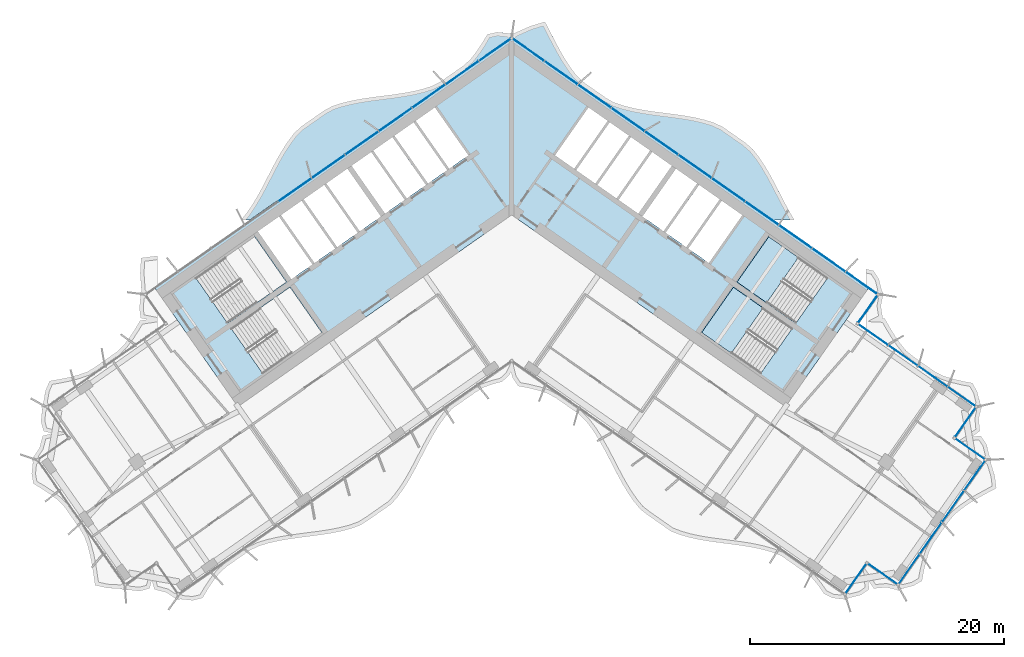
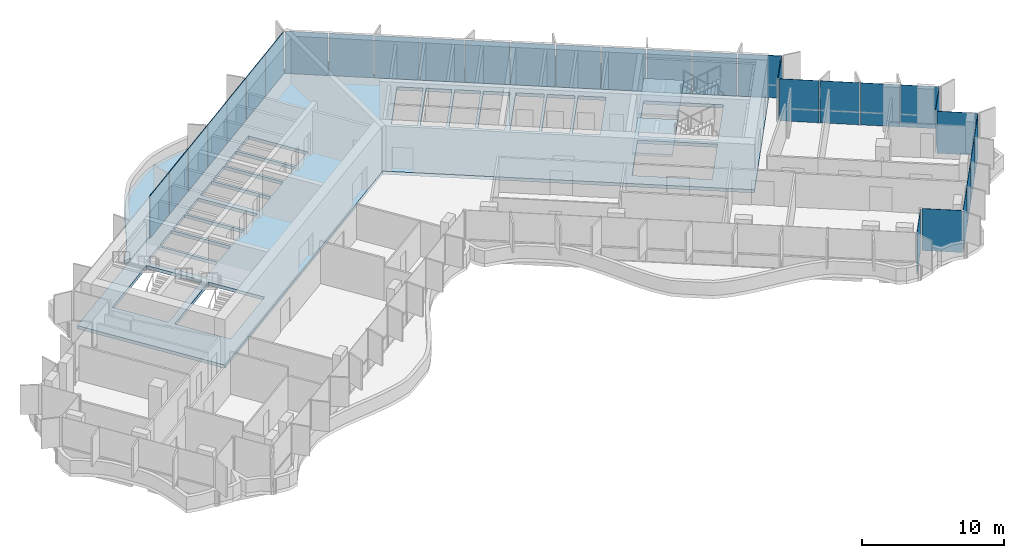
# One storey, part 13 of 23: 31 plates, 4 slabs, 4 elements without a shape of their own.
"""IFC4 building model written with IfcOpenShell, lengths in metres."""

from ifc_helpers import new_model, si_unit, direction, frame, origin, origin_2d, place, context, subcontext, project, spatial, polyline, rectangle, outline, extrude, material, layer, layer_set, type_object, element, aggregate, save


model = new_model("IFC4")

# Units and contexts
model_context = context("Model", 3, precision=1e-05, world=origin(), true_north=direction((0.0, 1.0)))
body_context = subcontext(model_context, "Body", "Model", "MODEL_VIEW")
ifc_project = project(units=[si_unit("LENGTHUNIT", "METRE"), si_unit("AREAUNIT", "SQUARE_METRE"), si_unit("VOLUMEUNIT", "CUBIC_METRE"), si_unit("PLANEANGLEUNIT", "RADIAN"), si_unit("MASSUNIT", "GRAM", prefix="KILO")], contexts=[model_context])

# Site, building, storey
site_placement = place(None, origin())
site = spatial("IfcSite", under=ifc_project, at=site_placement, CompositionType="ELEMENT")
building_placement = place(site_placement, origin())
building = spatial("IfcBuilding", under=site, at=building_placement, Name="Tel Ilan Convention Tower", CompositionType="ELEMENT")
storey_placement = place(building_placement, frame((0.0, 0.0, 174.89990234375)))
storey = spatial("IfcBuildingStorey", under=building, at=storey_placement, Name="L40", CompositionType="ELEMENT", Elevation=174.89990234375)

# Curtain wall, plates
ifc_material_1 = material(Name="Aluminium, bronze anodised", Category="aluminium")
curtain_wall_type_1 = type_object("IfcCurtainWallType", Name="CW4 STICK CURTAIN WALL, OFFICE TINTED GLASS", PredefinedType="NOTDEFINED", material=ifc_material_1)
curtain_wall_1_placement = place(storey_placement, origin())
curtain_wall_1 = element("IfcCurtainWall", 1, at=curtain_wall_1_placement, inside=storey, type_object=curtain_wall_type_1, Name="Curtain wall CW4-31.02", PredefinedType="NOTDEFINED")
ifc_material_2 = material(Name="Glass, bronze tinted, two-ply", Category="glass")
ifc_layer_1 = layer(ifc_material_2, 0.028076171875)
ifc_layer_set_1 = layer_set([ifc_layer_1], Name="CW GLASS PANEL 28")
plate_type_1 = type_object("IfcPlateType", Name="CW GLASS PANEL 28", PredefinedType="CURTAIN_PANEL", material=ifc_layer_set_1)
plate_1_placement = place(storey_placement, frame((27.065673828125, -29.863525390625, 0.0), z_axis=(0.0, 0.0, 1.0), x_axis=(0.573576436351, 0.819152044289, 0.0)))
plate_1 = element("IfcPlate", 2, at=plate_1_placement, type_object=plate_type_1, Name="Glass panel", PredefinedType="CURTAIN_PANEL", context=body_context, shape_type="SweptSolid", body=[
    extrude(rectangle(XDim=2.875, YDim=0.028076171875, at=origin_2d()), origin(), (0.0, 0.0, 1.0), 3.6201171875),
])
plate_2_placement = place(storey_placement, frame((29.20849609375, -29.48583984375, 0.0), z_axis=(0.0, 0.0, 1.0), x_axis=(0.819152044289, -0.573576436351, 0.0)))
plate_2 = element("IfcPlate", 3, at=plate_2_placement, type_object=plate_type_1, Name="Glass panel", PredefinedType="CURTAIN_PANEL", context=body_context, shape_type="SweptSolid", body=[
    extrude(rectangle(XDim=2.875, YDim=0.028076171875, at=origin_2d()), origin(), (0.0, 0.0, 1.0), 3.6201171875),
])
plate_3_placement = place(storey_placement, frame((31.25, -29.1181640625, 0.0), z_axis=(0.0, 0.0, 1.0), x_axis=(0.573576436351, 0.819152044289, 0.0)))
plate_3 = element("IfcPlate", 4, at=plate_3_placement, type_object=plate_type_1, Name="Glass panel", PredefinedType="CURTAIN_PANEL", context=body_context, shape_type="SweptSolid", body=[
    extrude(rectangle(XDim=2.89599609375, YDim=0.028076171875, at=origin_2d()), origin(), (0.0, 0.0, 1.0), 3.6201171875),
])
plate_4_placement = place(storey_placement, frame((32.972412109375, -26.658203125, 0.0), z_axis=(0.0, 0.0, 1.0), x_axis=(0.573576436351, 0.819152044289, 0.0)))
plate_4 = element("IfcPlate", 5, at=plate_4_placement, type_object=plate_type_1, Name="Glass panel", PredefinedType="CURTAIN_PANEL", context=body_context, shape_type="SweptSolid", body=[
    extrude(rectangle(XDim=2.989990234375, YDim=0.028076171875, at=origin_2d()), origin(), (0.0, 0.0, 1.0), 3.6201171875),
])
plate_5_placement = place(storey_placement, frame((34.721923828125, -24.159912109375, 0.0), z_axis=(0.0, 0.0, 1.0), x_axis=(0.573576436351, 0.819152044289, 0.0)))
plate_5 = element("IfcPlate", 6, at=plate_5_placement, type_object=plate_type_1, Name="Glass panel", PredefinedType="CURTAIN_PANEL", context=body_context, shape_type="SweptSolid", body=[
    extrude(rectangle(XDim=2.989990234375, YDim=0.028076171875, at=origin_2d()), origin(), (0.0, 0.0, 1.0), 3.6201171875),
])
plate_6_placement = place(storey_placement, frame((36.4443359375, -21.699951171875, 0.0), z_axis=(0.0, 0.0, 1.0), x_axis=(0.573576436351, 0.819152044289, 0.0)))
plate_6 = element("IfcPlate", 7, at=plate_6_placement, type_object=plate_type_1, Name="Glass panel", PredefinedType="CURTAIN_PANEL", context=body_context, shape_type="SweptSolid", body=[
    extrude(rectangle(XDim=2.89599609375, YDim=0.028076171875, at=origin_2d()), origin(), (0.0, 0.0, 1.0), 3.6201171875),
])
plate_7_placement = place(storey_placement, frame((36.09130859375, -19.656005859375, 0.0), z_axis=(0.0, 0.0, 1.0), x_axis=(-0.819152044289, 0.573576436351, 0.0)))
plate_7 = element("IfcPlate", 8, at=plate_7_placement, type_object=plate_type_1, Name="Glass panel", PredefinedType="CURTAIN_PANEL", context=body_context, shape_type="SweptSolid", body=[
    extrude(rectangle(XDim=2.875, YDim=0.028076171875, at=origin_2d()), origin(), (0.0, 0.0, 1.0), 3.6201171875),
])
plate_8_placement = place(storey_placement, frame((35.713623046875, -17.51318359375, 0.0), z_axis=(0.0, 0.0, 1.0), x_axis=(0.573576436351, 0.819152044289, 0.0)))
plate_8 = element("IfcPlate", 9, at=plate_8_placement, type_object=plate_type_1, Name="Glass panel", PredefinedType="CURTAIN_PANEL", context=body_context, shape_type="SweptSolid", body=[
    extrude(rectangle(XDim=2.875, YDim=0.028076171875, at=origin_2d()), origin(), (0.0, 0.0, 1.0), 3.6201171875),
])
plate_9_placement = place(storey_placement, frame((35.427978515625, -15.529052734375, 0.0), z_axis=(0.0, 0.0, 1.0), x_axis=(-0.819152044289, 0.573576436351, 0.0)))
plate_9 = element("IfcPlate", 10, at=plate_9_placement, type_object=plate_type_1, Name="Glass panel", PredefinedType="CURTAIN_PANEL", context=body_context, shape_type="SweptSolid", body=[
    extrude(rectangle(XDim=2.696044921875, YDim=0.028076171875, at=origin_2d()), origin(), (0.0, 0.0, 1.0), 3.6201171875),
])
plate_10_placement = place(storey_placement, frame((33.1318359375, -13.92138671875, 0.0), z_axis=(0.0, 0.0, 1.0), x_axis=(-0.819152044289, 0.573576436351, 0.0)))
plate_10 = element("IfcPlate", 11, at=plate_10_placement, type_object=plate_type_1, Name="Glass panel", PredefinedType="CURTAIN_PANEL", context=body_context, shape_type="SweptSolid", body=[
    extrude(rectangle(XDim=2.7900390625, YDim=0.028076171875, at=origin_2d()), origin(), (0.0, 0.0, 1.0), 3.6201171875),
])
plate_11_placement = place(storey_placement, frame((30.79736328125, -12.28662109375, 0.0), z_axis=(0.0, 0.0, 1.0), x_axis=(-0.819152044289, 0.573576436351, 0.0)))
plate_11 = element("IfcPlate", 12, at=plate_11_placement, type_object=plate_type_1, Name="Glass panel", PredefinedType="CURTAIN_PANEL", context=body_context, shape_type="SweptSolid", body=[
    extrude(rectangle(XDim=2.7900390625, YDim=0.028076171875, at=origin_2d()), origin(), (0.0, 0.0, 1.0), 3.6201171875),
])
plate_12_placement = place(storey_placement, frame((28.450927734375, -10.6435546875, 0.0), z_axis=(0.0, 0.0, 1.0), x_axis=(-0.819152044289, 0.573576436351, 0.0)))
plate_12 = element("IfcPlate", 13, at=plate_12_placement, type_object=plate_type_1, Name="Glass panel", PredefinedType="CURTAIN_PANEL", context=body_context, shape_type="SweptSolid", body=[
    extrude(rectangle(XDim=2.819091796875, YDim=0.028076171875, at=origin_2d()), origin(), (0.0, 0.0, 1.0), 3.6201171875),
])
aggregate(curtain_wall_1, [plate_1, plate_2, plate_3, plate_4, plate_5, plate_6, plate_7, plate_8, plate_9, plate_10, plate_11, plate_12])

ifc_material_3 = material(Name="Aluminium, bronze anodised", Category="aluminium")
curtain_wall_type_2 = type_object("IfcCurtainWallType", Name="CW2 STICK CURTAIN WALL, SPANDREL PANELS", PredefinedType="NOTDEFINED", material=ifc_material_3)
curtain_wall_2_placement = place(storey_placement, origin())
curtain_wall_2 = element("IfcCurtainWall", 14, at=curtain_wall_2_placement, inside=storey, type_object=curtain_wall_type_2, Name="Curtain wall CW2-31.01", PredefinedType="NOTDEFINED")
ifc_material_4 = material(Name="Aluminium composite panel, bronze anodised", Category="aluminium")
ifc_layer_2 = layer(ifc_material_4, 0.06005859375)
ifc_layer_set_2 = layer_set([ifc_layer_2], Name="CW SPANDREL PANEL 60")
plate_type_2 = type_object("IfcPlateType", Name="CW SPANDREL PANEL 60", PredefinedType="CURTAIN_PANEL", material=ifc_layer_set_2)
plate_13_placement = place(storey_placement, frame((28.033935546875, -8.60546875, 0.0), z_axis=(0.0, 0.0, 1.0), x_axis=(0.573576436351, 0.819152044289, 0.0)))
plate_13 = element("IfcPlate", 15, at=plate_13_placement, type_object=plate_type_2, Name="Spandrel panel", PredefinedType="CURTAIN_PANEL", context=body_context, shape_type="SweptSolid", body=[
    extrude(rectangle(XDim=2.658935546875, YDim=0.06005859375, at=origin_2d()), origin(), (0.0, 0.0, 1.0), 3.6201171875),
])
plate_14_placement = place(storey_placement, frame((27.5400390625, -6.587646484375, 0.0), z_axis=(0.0, 0.0, 1.0), x_axis=(-0.819152044289, 0.573576436351, 0.0)))
plate_14 = element("IfcPlate", 16, at=plate_14_placement, type_object=plate_type_2, Name="Spandrel panel", PredefinedType="CURTAIN_PANEL", context=body_context, shape_type="SweptSolid", body=[
    extrude(rectangle(XDim=3.0439453125, YDim=0.06005859375, at=origin_2d()), origin(), (0.0, 0.0, 1.0), 3.6201171875),
])
plate_15_placement = place(storey_placement, frame((24.95263671875, -4.77587890625, 0.0), z_axis=(0.0, 0.0, 1.0), x_axis=(-0.819152044289, 0.573576436351, 0.0)))
plate_15 = element("IfcPlate", 17, at=plate_15_placement, type_object=plate_type_2, Name="Spandrel panel", PredefinedType="CURTAIN_PANEL", context=body_context, shape_type="SweptSolid", body=[
    extrude(rectangle(XDim=3.15380859375, YDim=0.06005859375, at=origin_2d()), origin(), (0.0, 0.0, 1.0), 3.6201171875),
])
plate_16_placement = place(storey_placement, frame((22.31982421875, -2.9326171875, 0.0), z_axis=(0.0, 0.0, 1.0), x_axis=(-0.819152044289, 0.573576436351, 0.0)))
plate_16 = element("IfcPlate", 18, at=plate_16_placement, type_object=plate_type_2, Name="Spandrel panel", PredefinedType="CURTAIN_PANEL", context=body_context, shape_type="SweptSolid", body=[
    extrude(rectangle(XDim=3.15380859375, YDim=0.06005859375, at=origin_2d()), origin(), (0.0, 0.0, 1.0), 3.6201171875),
])
plate_17_placement = place(storey_placement, frame((19.687255859375, -1.089111328125, 0.0), z_axis=(0.0, 0.0, 1.0), x_axis=(-0.819152044289, 0.573576436351, 0.0)))
plate_17 = element("IfcPlate", 19, at=plate_17_placement, type_object=plate_type_2, Name="Spandrel panel", PredefinedType="CURTAIN_PANEL", context=body_context, shape_type="SweptSolid", body=[
    extrude(rectangle(XDim=3.15380859375, YDim=0.06005859375, at=origin_2d()), origin(), (0.0, 0.0, 1.0), 3.6201171875),
])
plate_18_placement = place(storey_placement, frame((17.0546875, 0.754150390625, 0.0), z_axis=(0.0, 0.0, 1.0), x_axis=(-0.819152044289, 0.573576436351, 0.0)))
plate_18 = element("IfcPlate", 20, at=plate_18_placement, type_object=plate_type_2, Name="Spandrel panel", PredefinedType="CURTAIN_PANEL", context=body_context, shape_type="SweptSolid", body=[
    extrude(rectangle(XDim=3.15380859375, YDim=0.06005859375, at=origin_2d()), origin(), (0.0, 0.0, 1.0), 3.6201171875),
])
plate_19_placement = place(storey_placement, frame((14.422119140625, 2.59765625, 0.0), z_axis=(0.0, 0.0, 1.0), x_axis=(-0.819152044289, 0.573576436351, 0.0)))
plate_19 = element("IfcPlate", 21, at=plate_19_placement, type_object=plate_type_2, Name="Spandrel panel", PredefinedType="CURTAIN_PANEL", context=body_context, shape_type="SweptSolid", body=[
    extrude(rectangle(XDim=3.15380859375, YDim=0.06005859375, at=origin_2d()), origin(), (0.0, 0.0, 1.0), 3.6201171875),
])
plate_20_placement = place(storey_placement, frame((11.789306640625, 4.44091796875, 0.0), z_axis=(0.0, 0.0, 1.0), x_axis=(-0.819152044289, 0.573576436351, 0.0)))
plate_20 = element("IfcPlate", 22, at=plate_20_placement, type_object=plate_type_2, Name="Spandrel panel", PredefinedType="CURTAIN_PANEL", context=body_context, shape_type="SweptSolid", body=[
    extrude(rectangle(XDim=3.15380859375, YDim=0.06005859375, at=origin_2d()), origin(), (0.0, 0.0, 1.0), 3.6201171875),
])
plate_21_placement = place(storey_placement, frame((9.15673828125, 6.284423828125, 0.0), z_axis=(0.0, 0.0, 1.0), x_axis=(-0.819152044289, 0.573576436351, 0.0)))
plate_21 = element("IfcPlate", 23, at=plate_21_placement, type_object=plate_type_2, Name="Spandrel panel", PredefinedType="CURTAIN_PANEL", context=body_context, shape_type="SweptSolid", body=[
    extrude(rectangle(XDim=3.15380859375, YDim=0.06005859375, at=origin_2d()), origin(), (0.0, 0.0, 1.0), 3.6201171875),
])
plate_22_placement = place(storey_placement, frame((6.524169921875, 8.127685546875, 0.0), z_axis=(0.0, 0.0, 1.0), x_axis=(-0.819152044289, 0.573576436351, 0.0)))
plate_22 = element("IfcPlate", 24, at=plate_22_placement, type_object=plate_type_2, Name="Spandrel panel", PredefinedType="CURTAIN_PANEL", context=body_context, shape_type="SweptSolid", body=[
    extrude(rectangle(XDim=3.15380859375, YDim=0.06005859375, at=origin_2d()), origin(), (0.0, 0.0, 1.0), 3.6201171875),
])
plate_23_placement = place(storey_placement, frame((3.8916015625, 9.97119140625, 0.0), z_axis=(0.0, 0.0, 1.0), x_axis=(-0.819152044289, 0.573576436351, 0.0)))
plate_23 = element("IfcPlate", 25, at=plate_23_placement, type_object=plate_type_2, Name="Spandrel panel", PredefinedType="CURTAIN_PANEL", context=body_context, shape_type="SweptSolid", body=[
    extrude(rectangle(XDim=3.15380859375, YDim=0.06005859375, at=origin_2d()), origin(), (0.0, 0.0, 1.0), 3.6201171875),
])
plate_24_placement = place(storey_placement, frame((1.303955078125, 11.782958984375, 0.0), z_axis=(0.0, 0.0, 1.0), x_axis=(-0.819152044289, 0.573576436351, 0.0)))
plate_24 = element("IfcPlate", 26, at=plate_24_placement, type_object=plate_type_2, Name="Spandrel panel", PredefinedType="CURTAIN_PANEL", context=body_context, shape_type="SweptSolid", body=[
    extrude(rectangle(XDim=3.0439453125, YDim=0.06005859375, at=origin_2d()), origin(), (0.0, 0.0, 1.0), 3.6201171875),
])
plate_25_placement = place(storey_placement, frame((-1.303955078125, 11.782958984375, 0.0), z_axis=(0.0, 0.0, 1.0), x_axis=(-0.819152044289, -0.573576436351, 0.0)))
plate_25 = element("IfcPlate", 27, at=plate_25_placement, type_object=plate_type_2, Name="Spandrel panel", PredefinedType="CURTAIN_PANEL", context=body_context, shape_type="SweptSolid", body=[
    extrude(rectangle(XDim=3.0439453125, YDim=0.06005859375, at=origin_2d()), origin(), (0.0, 0.0, 1.0), 3.6201171875),
])
plate_26_placement = place(storey_placement, frame((-3.8916015625, 9.97119140625, 0.0), z_axis=(0.0, 0.0, 1.0), x_axis=(-0.819152044289, -0.573576436351, 0.0)))
plate_26 = element("IfcPlate", 28, at=plate_26_placement, type_object=plate_type_2, Name="Spandrel panel", PredefinedType="CURTAIN_PANEL", context=body_context, shape_type="SweptSolid", body=[
    extrude(rectangle(XDim=3.15380859375, YDim=0.06005859375, at=origin_2d()), origin(), (0.0, 0.0, 1.0), 3.6201171875),
])
plate_27_placement = place(storey_placement, frame((-6.524169921875, 8.127685546875, 0.0), z_axis=(0.0, 0.0, 1.0), x_axis=(-0.819152044289, -0.573576436351, 0.0)))
plate_27 = element("IfcPlate", 29, at=plate_27_placement, type_object=plate_type_2, Name="Spandrel panel", PredefinedType="CURTAIN_PANEL", context=body_context, shape_type="SweptSolid", body=[
    extrude(rectangle(XDim=3.15380859375, YDim=0.06005859375, at=origin_2d()), origin(), (0.0, 0.0, 1.0), 3.6201171875),
])
plate_28_placement = place(storey_placement, frame((-9.15673828125, 6.284423828125, 0.0), z_axis=(0.0, 0.0, 1.0), x_axis=(-0.819152044289, -0.573576436351, 0.0)))
plate_28 = element("IfcPlate", 30, at=plate_28_placement, type_object=plate_type_2, Name="Spandrel panel", PredefinedType="CURTAIN_PANEL", context=body_context, shape_type="SweptSolid", body=[
    extrude(rectangle(XDim=3.15380859375, YDim=0.06005859375, at=origin_2d()), origin(), (0.0, 0.0, 1.0), 3.6201171875),
])
plate_29_placement = place(storey_placement, frame((-11.789306640625, 4.44091796875, 0.0), z_axis=(0.0, 0.0, 1.0), x_axis=(-0.819152044289, -0.573576436351, 0.0)))
plate_29 = element("IfcPlate", 31, at=plate_29_placement, type_object=plate_type_2, Name="Spandrel panel", PredefinedType="CURTAIN_PANEL", context=body_context, shape_type="SweptSolid", body=[
    extrude(rectangle(XDim=3.15380859375, YDim=0.06005859375, at=origin_2d()), origin(), (0.0, 0.0, 1.0), 3.6201171875),
])
plate_30_placement = place(storey_placement, frame((-14.422119140625, 2.59765625, 0.0), z_axis=(0.0, 0.0, 1.0), x_axis=(-0.819152044289, -0.573576436351, 0.0)))
plate_30 = element("IfcPlate", 32, at=plate_30_placement, type_object=plate_type_2, Name="Spandrel panel", PredefinedType="CURTAIN_PANEL", context=body_context, shape_type="SweptSolid", body=[
    extrude(rectangle(XDim=3.15380859375, YDim=0.06005859375, at=origin_2d()), origin(), (0.0, 0.0, 1.0), 3.6201171875),
])
plate_31_placement = place(storey_placement, frame((-17.0546875, 0.754150390625, 0.0), z_axis=(0.0, 0.0, 1.0), x_axis=(-0.819152044289, -0.573576436351, 0.0)))
plate_31 = element("IfcPlate", 33, at=plate_31_placement, type_object=plate_type_2, Name="Spandrel panel", PredefinedType="CURTAIN_PANEL", context=body_context, shape_type="SweptSolid", body=[
    extrude(rectangle(XDim=3.15380859375, YDim=0.06005859375, at=origin_2d()), origin(), (0.0, 0.0, 1.0), 3.6201171875),
])
aggregate(curtain_wall_2, [plate_13, plate_14, plate_15, plate_16, plate_17, plate_18, plate_19, plate_20, plate_21, plate_22, plate_23, plate_24, plate_25, plate_26, plate_27, plate_28, plate_29, plate_30, plate_31])

# Stair, slab
ifc_material_5 = material(Name="Concrete C40/50", Category="concrete")
stair_type = type_object("IfcStairType", Name="Pressurised Exit Stair 22 risers 177 mm", PredefinedType="HALF_TURN_STAIR", material=ifc_material_5)
stair_1_placement = place(storey_placement, origin())
stair_1 = element("IfcStair", 34, at=stair_1_placement, inside=storey, type_object=stair_type, Name="L40 Pressurised Stair S3", PredefinedType="HALF_TURN_STAIR")
ifc_material_6 = material(Name="Concrete C40/50", Category="concrete")
ifc_layer_3 = layer(ifc_material_6, 0.199951171875)
ifc_layer_set_3 = layer_set([ifc_layer_3], Name="Concrete Stair Landing 200 mm C40/50")
slab_type_1 = type_object("IfcSlabType", Name="Concrete Stair Landing 200 mm", PredefinedType="LANDING", material=ifc_layer_set_3)
slab_1_placement = place(storey_placement, frame((0.0, 0.0, 1.75)))
slab_1 = element("IfcSlab", 35, at=slab_1_placement, type_object=slab_type_1, Name="S3 landing 1", PredefinedType="LANDING", context=body_context, shape_type="SweptSolid", body=[
    extrude(outline(polyline([(22.561767578125, -4.566650390625), (20.226318359375, -2.931640625), (17.7314453125, -6.494873046875), (20.066650390625, -8.130126953125), (22.561767578125, -4.566650390625)])), origin(), (0.0, 0.0, 1.0), 0.2001953125),
])
aggregate(stair_1, [slab_1])

stair_2_placement = place(storey_placement, origin())
stair_2 = element("IfcStair", 36, at=stair_2_placement, inside=storey, type_object=stair_type, Name="L40 Pressurised Stair S4", PredefinedType="HALF_TURN_STAIR")
slab_2_placement = place(storey_placement, frame((0.0, 0.0, 1.75)))
slab_2 = element("IfcSlab", 37, at=slab_2_placement, type_object=slab_type_1, Name="S4 landing 1", PredefinedType="LANDING", context=body_context, shape_type="SweptSolid", body=[
    extrude(outline(polyline([(19.77978515625, -8.53955078125), (17.444580078125, -6.904541015625), (14.949462890625, -10.4677734375), (17.28466796875, -12.10302734375), (19.77978515625, -8.53955078125)])), origin(), (0.0, 0.0, 1.0), 0.2001953125),
])
aggregate(stair_2, [slab_2])

# Slabs
ifc_material_7 = material(Name="Concrete C40/50", Category="concrete")
ifc_layer_4 = layer(ifc_material_7, 0.280029296875)
ifc_layer_set_4 = layer_set([ifc_layer_4], Name="Core Floor Slab 280 mm C40/50")
slab_type_2 = type_object("IfcSlabType", Name="Core Floor Slab 280 mm C40/50", PredefinedType="FLOOR", material=ifc_layer_set_4)
slab_3_placement = place(storey_placement, frame((0.0, 0.0, -0.27978515625)))
element("IfcSlab", 38, at=slab_3_placement, inside=storey, type_object=slab_type_2, Name="L40 core floor 1", PredefinedType="FLOOR", context=body_context, shape_type="SweptSolid", body=[
    extrude(outline(polyline([(-28.1396484375, -6.885498046875), (0.0, 12.818115234375), (28.1396484375, -6.885498046875), (21.54345703125, -16.3056640625), (0.0, -1.220703125), (-21.54345703125, -16.3056640625), (-28.1396484375, -6.885498046875)]), holes=[polyline([(-14.949462890625, -10.4677734375), (-17.444580078125, -6.904541015625), (-22.072021484375, -10.144775390625), (-19.5771484375, -13.7080078125), (-14.949462890625, -10.4677734375)]), polyline([(-17.7314453125, -6.494873046875), (-20.226318359375, -2.931640625), (-24.85400390625, -6.171875), (-22.35888671875, -9.735107421875), (-17.7314453125, -6.494873046875)]), polyline([(-18.313720703125, -1.34814453125), (-19.972412109375, -2.509521484375), (-17.333984375, -6.277587890625), (-15.67529296875, -5.1162109375), (-18.313720703125, -1.34814453125)]), polyline([(-16.531982421875, -0.1005859375), (-18.14990234375, -1.2333984375), (-15.511474609375, -5.00146484375), (-13.8935546875, -3.86865234375), (-16.531982421875, -0.1005859375)]), polyline([(-14.75048828125, 1.14697265625), (-16.368408203125, 0.01416015625), (-13.729736328125, -3.75390625), (-12.112060546875, -2.62109375), (-14.75048828125, 1.14697265625)]), polyline([(-12.927734375, 2.423095703125), (-14.586669921875, 1.26171875), (-11.947998046875, -2.506591796875), (-10.289306640625, -1.344970703125), (-12.927734375, 2.423095703125)]), polyline([(-11.053955078125, 3.735107421875), (-12.60009765625, 2.652587890625), (-9.961669921875, -1.115478515625), (-8.41552734375, -0.032958984375), (-11.053955078125, 3.735107421875)]), polyline([(-6.74658203125, 1.1357421875), (-9.385009765625, 4.90380859375), (-10.89013671875, 3.849853515625), (-8.251708984375, 0.081787109375), (-6.74658203125, 1.1357421875)]), polyline([(-5.077392578125, 2.304443359375), (-7.716064453125, 6.072509765625), (-9.22119140625, 5.0185546875), (-6.582763671875, 1.25048828125), (-5.077392578125, 2.304443359375)]), polyline([(-6.046875, 7.2412109375), (-7.552001953125, 6.187255859375), (-4.913818359375, 2.419189453125), (-3.408447265625, 3.47314453125), (-6.046875, 7.2412109375)]), polyline([(17.444580078125, -6.904541015625), (14.949462890625, -10.4677734375), (19.5771484375, -13.7080078125), (22.072021484375, -10.144775390625), (17.444580078125, -6.904541015625)]), polyline([(20.226318359375, -2.931640625), (17.7314453125, -6.494873046875), (22.35888671875, -9.735107421875), (24.85400390625, -6.171875), (20.226318359375, -2.931640625)]), polyline([(13.8935546875, -3.86865234375), (15.511474609375, -5.00146484375), (18.14990234375, -1.2333984375), (16.531982421875, -0.1005859375), (13.8935546875, -3.86865234375)]), polyline([(12.112060546875, -2.62109375), (13.729736328125, -3.75390625), (16.368408203125, 0.01416015625), (14.75048828125, 1.14697265625), (12.112060546875, -2.62109375)]), polyline([(11.947998046875, -2.506591796875), (14.586669921875, 1.26171875), (12.927734375, 2.423095703125), (10.289306640625, -1.344970703125), (11.947998046875, -2.506591796875)]), polyline([(9.961669921875, -1.115478515625), (12.60009765625, 2.652587890625), (11.053955078125, 3.735107421875), (8.41552734375, -0.032958984375), (9.961669921875, -1.115478515625)]), polyline([(8.251708984375, 0.081787109375), (10.89013671875, 3.849853515625), (9.385009765625, 4.90380859375), (6.74658203125, 1.1357421875), (8.251708984375, 0.081787109375)]), polyline([(5.077392578125, 2.304443359375), (6.582763671875, 1.25048828125), (9.22119140625, 5.0185546875), (7.716064453125, 6.072509765625), (5.077392578125, 2.304443359375)]), polyline([(3.408447265625, 3.47314453125), (4.913818359375, 2.419189453125), (7.552001953125, 6.187255859375), (6.046875, 7.2412109375), (3.408447265625, 3.47314453125)])]), origin(), (0.0, 0.0, 1.0), 0.27978515625),
])
ifc_material_8 = material(Name="Concrete C40/50", Category="concrete")
ifc_layer_5 = layer(ifc_material_8, 0.280029296875)
ifc_layer_set_5 = layer_set([ifc_layer_5], Name="Edge Ledge Slab 280 mm C40/50")
slab_type_3 = type_object("IfcSlabType", Name="Edge Ledge Slab 280 mm C40/50", PredefinedType="FLOOR", material=ifc_layer_set_5)
slab_4_placement = place(storey_placement, frame((0.0, 0.0, -0.27978515625)))
element("IfcSlab", 39, at=slab_4_placement, inside=storey, type_object=slab_type_3, Name="L40 edge ledge 2", PredefinedType="FLOOR", context=body_context, shape_type="SweptSolid", body=[
    extrude(outline(polyline([(-19.60009765625, 1.004150390625), (-19.217529296875, 1.741943359375), (-18.83642578125, 2.481689453125), (-18.44677734375, 3.209228515625), (-18.0390625, 3.910888671875), (-17.604736328125, 4.574951171875), (-17.13671875, 5.190185546875), (-16.6015625, 5.71044921875), (-14.791748046875, 6.977783203125), (-14.1416015625, 7.33349609375), (-13.41064453125, 7.573486328125), (-12.644287109375, 7.76318359375), (-11.849853515625, 7.91259765625), (-11.03564453125, 8.033935546875), (-10.211181640625, 8.140380859375), (-9.385986328125, 8.24609375), (-8.570068359375, 8.36474609375), (-7.7724609375, 8.509765625), (-7.002197265625, 8.693603515625), (-6.26611328125, 8.926513671875), (-5.601806640625, 9.261962890625), (-3.7919921875, 10.529296875), (-3.2421875, 11.0283203125), (-2.769287109375, 11.63671875), (-2.3310546875, 12.294921875), (-1.919921875, 12.991943359375), (-1.14208984375, 13.1650390625), (-0.172119140625, 13.06396484375), (-0.168701171875, 13.05908203125), (-0.11474609375, 13.09521484375), (0.0, 13.1181640625), (0.11474609375, 13.09521484375), (0.168701171875, 13.05908203125), (0.172119140625, 13.06396484375), (1.4794921875, 13.647216796875), (2.6162109375, 13.986328125), (3.000244140625, 13.250732421875), (3.38134765625, 12.510986328125), (3.770263671875, 11.7822265625), (4.176513671875, 11.078369140625), (4.608642578125, 10.41162109375), (5.074462890625, 9.792724609375), (5.601806640625, 9.261962890625), (7.411865234375, 7.99462890625), (8.054931640625, 7.62890625), (8.783447265625, 7.385498046875), (9.547607421875, 7.19287109375), (10.340576171875, 7.041015625), (11.15380859375, 6.91845703125), (11.977783203125, 6.811279296875), (12.80322265625, 6.7060546875), (13.6201171875, 6.588623046875), (14.419189453125, 6.44580078125), (15.191650390625, 6.2646484375), (15.929931640625, 6.03515625), (16.6015625, 5.71044921875), (18.41162109375, 4.443115234375), (18.96826171875, 3.9541015625), (19.44384765625, 3.34912109375), (19.884033203125, 2.69384765625), (20.296142578125, 1.998291015625), (20.688720703125, 1.27490234375), (21.07080078125, 0.53662109375), (21.4521484375, -0.202880859375), (21.8427734375, -0.928955078125), (22.25341796875, -1.631591796875), (20.63623046875, -1.631591796875), (0.0, 12.818115234375), (-20.63623046875, -1.631591796875), (-21.30126953125, -1.631591796875), (-20.849609375, -1.0634765625), (-20.4072265625, -0.4111328125), (-19.993408203125, 0.281982421875), (-19.60009765625, 1.004150390625)])), origin(), (0.0, 0.0, 1.0), 0.27978515625),
])

save(model, "model.ifc")
